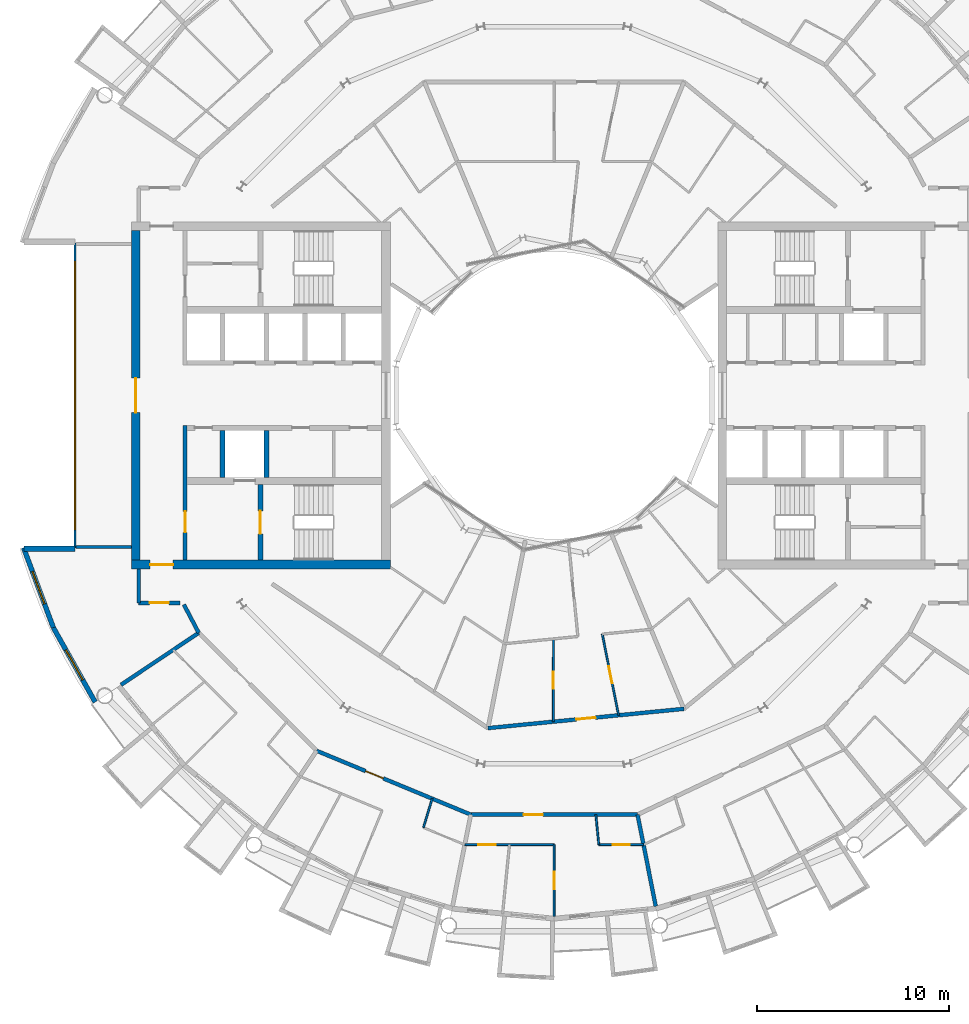
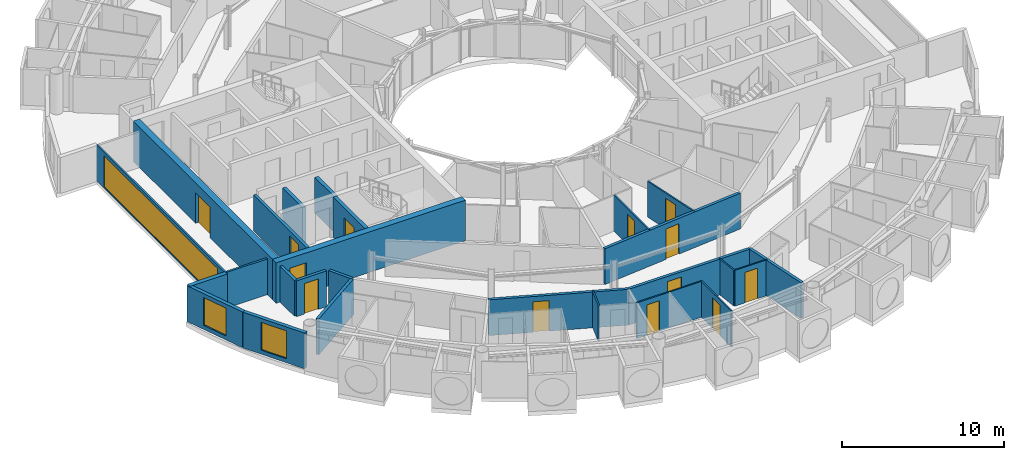
# One storey, part 16 of 29: 26 walls, 13 doors, 3 windows, 16 openings.
"""IFC4 building model written with IfcOpenShell, lengths in metres."""

from ifc_helpers import new_model, si_unit, direction, frame, frame_2d, origin, place, context, subcontext, project, spatial, rectangle, extrude, material, layer, layer_set, type_object, element, fill, save


model = new_model("IFC4")

# Units and contexts
model_context = context("Model", 3, precision=1e-05, world=origin(), true_north=direction((0.0, 1.0)))
body_context = subcontext(model_context, "Body", "Model", "MODEL_VIEW")
ifc_project = project(units=[si_unit("LENGTHUNIT", "METRE"), si_unit("AREAUNIT", "SQUARE_METRE"), si_unit("VOLUMEUNIT", "CUBIC_METRE"), si_unit("PLANEANGLEUNIT", "RADIAN"), si_unit("MASSUNIT", "GRAM", prefix="KILO")], contexts=[model_context])

# Site, building, storey
site_placement = place(None, origin())
site = spatial("IfcSite", under=ifc_project, at=site_placement, CompositionType="ELEMENT")
building_placement = place(site_placement, origin())
building = spatial("IfcBuilding", under=site, at=building_placement, Name="Maasbend Ring Residences", CompositionType="ELEMENT")
storey_placement = place(building_placement, frame((0.0, 0.0, 212.699951171875)))
storey = spatial("IfcBuildingStorey", under=building, at=storey_placement, Name="L61", CompositionType="ELEMENT", Elevation=212.699951171875)

# Wall, opening, door
ifc_material_1 = material(Name="Concrete C50/60", Category="concrete")
ifc_layer_1 = layer(ifc_material_1, 0.25)
ifc_layer_set_1 = layer_set([ifc_layer_1], Name="Concrete C50/60")
wall_type_1 = type_object("IfcWallType", Name="CORE WALL 250 C50/60", PredefinedType="SHEAR", material=ifc_layer_set_1)
wall_1_placement = place(storey_placement, frame((-15.324951171875, -4.64990234375, 0.0), z_axis=(0.0, 0.0, 1.0), x_axis=(0.0, -1.0, 0.0)))
wall_1 = element("IfcWall", 1, at=wall_1_placement, inside=storey, type_object=wall_type_1, Name="L61 core W wall STEN", PredefinedType="SHEAR", context=body_context, shape_type="SweptSolid", body=[
    extrude(rectangle(XDim=3.9501953125, YDim=0.25, at=frame_2d((1.97509765625, 0.0))), origin(), (0.0, 0.0, 1.0), 3.050048828125),
])
opening_1_placement = place(wall_1_placement, frame((1.375, 0.0, 0.0)))
opening_1 = element("IfcOpeningElement", 2, at=opening_1_placement, cuts=wall_1, Name="Opening D-W6110", PredefinedType="OPENING", context=body_context, shape_type="SweptSolid", body=[
    extrude(rectangle(XDim=1.199951171875, YDim=2.300048828125, at=frame_2d((0.60009765625, 1.14990234375))), frame((0.0, 0.135009765625, 0.0), z_axis=(0.0, -1.0, 0.0), x_axis=(1.0, 0.0, 0.0)), (0.0, 0.0, 1.0), 0.27001953125),
])
ifc_material_2 = material(Name="Steel, powder coated", Category="steel")
door_type_1 = type_object("IfcDoorType", Name="STAIR DOOR 1200 X 2300 FD60", OperationType="NOTDEFINED", PredefinedType="DOOR", material=ifc_material_2)
door_1_placement = place(opening_1_placement, origin())
door_1 = element("IfcDoor", 3, at=door_1_placement, inside=storey, type_object=door_type_1, Name="Stair door ST-W L61", OperationType="SINGLE_SWING_LEFT", OverallHeight=2.300048828125, OverallWidth=1.199951171875, PredefinedType="DOOR", context=body_context, shape_type="SweptSolid", body=[
    extrude(rectangle(XDim=1.199951171875, YDim=2.300048828125, at=frame_2d((0.60009765625, 1.14990234375))), frame((0.0, 0.02490234375, 0.0), z_axis=(0.0, -1.0, 0.0), x_axis=(1.0, 0.0, 0.0)), (0.0, 0.0, 1.0), 0.050048828125),
])
fill(opening_1, door_1)

ifc_material_3 = material(Name="Concrete C50/60", Category="concrete")
ifc_layer_2 = layer(ifc_material_3, 0.449951171875)
ifc_layer_set_2 = layer_set([ifc_layer_2], Name="Concrete C50/60")
wall_type_2 = type_object("IfcWallType", Name="CORE WALL 450 C50/60", PredefinedType="SHEAR", material=ifc_layer_set_2)
wall_2_placement = place(storey_placement, frame((-22.050048828125, -8.824951171875, 0.0), z_axis=(0.0, 0.0, 1.0), x_axis=(1.0, 0.0, 0.0)))
wall_2 = element("IfcWall", 4, at=wall_2_placement, inside=storey, type_object=wall_type_2, Name="L61 core W wall PN", PredefinedType="SHEAR", context=body_context, shape_type="SweptSolid", body=[
    extrude(rectangle(XDim=13.5, YDim=0.449951171875, at=frame_2d((6.75, 0.0))), origin(), (0.0, 0.0, 1.0), 3.050048828125),
])
opening_2_placement = place(wall_2_placement, frame((0.97509765625, 0.0, 0.0)))
opening_2 = element("IfcOpeningElement", 5, at=opening_2_placement, cuts=wall_2, Name="Opening D-W6114", PredefinedType="OPENING", context=body_context, shape_type="SweptSolid", body=[
    extrude(rectangle(XDim=1.199951171875, YDim=2.300048828125, at=frame_2d((0.60009765625, 1.14990234375))), frame((0.0, 0.23486328125, 0.0), z_axis=(0.0, -1.0, 0.0), x_axis=(1.0, 0.0, 0.0)), (0.0, 0.0, 1.0), 0.469970703125),
])
ifc_material_4 = material(Name="Steel, powder coated", Category="steel")
door_type_2 = type_object("IfcDoorType", Name="CORRIDOR DOOR 1200 X 2300 FD30S", OperationType="NOTDEFINED", PredefinedType="DOOR", material=ifc_material_4)
door_2_placement = place(opening_2_placement, origin())
door_2 = element("IfcDoor", 6, at=door_2_placement, inside=storey, type_object=door_type_2, Name="Corridor door L61", OperationType="SINGLE_SWING_RIGHT", OverallHeight=2.300048828125, OverallWidth=1.199951171875, PredefinedType="DOOR", context=body_context, shape_type="SweptSolid", body=[
    extrude(rectangle(XDim=1.199951171875, YDim=2.300048828125, at=frame_2d((0.60009765625, 1.14990234375))), frame((0.0, 0.02490234375, 0.0), z_axis=(0.0, -1.0, 0.0), x_axis=(1.0, 0.0, 0.0)), (0.0, 0.0, 1.0), 0.050048828125),
])
fill(opening_2, door_2)

wall_3_placement = place(storey_placement, frame((-21.824951171875, -8.60009765625, 0.0), z_axis=(0.0, 0.0, 1.0), x_axis=(0.0, 1.0, 0.0)))
wall_3 = element("IfcWall", 7, at=wall_3_placement, inside=storey, type_object=wall_type_2, Name="L61 core W wall POUT", PredefinedType="SHEAR", context=body_context, shape_type="SweptSolid", body=[
    extrude(rectangle(XDim=17.2001953125, YDim=0.449951171875, at=frame_2d((8.60009765625, 0.0))), origin(), (0.0, 0.0, 1.0), 3.050048828125),
])
opening_3_placement = place(wall_3_placement, frame((7.699951171875, 0.0, 0.0)))
opening_3 = element("IfcOpeningElement", 8, at=opening_3_placement, cuts=wall_3, Name="Opening D-W6116", PredefinedType="OPENING", context=body_context, shape_type="SweptSolid", body=[
    extrude(rectangle(XDim=1.800048828125, YDim=2.300048828125, at=frame_2d((0.89990234375, 1.14990234375))), frame((0.0, 0.23486328125, 0.0), z_axis=(0.0, -1.0, 0.0), x_axis=(1.0, 0.0, 0.0)), (0.0, 0.0, 1.0), 0.469970703125),
])
ifc_material_5 = material(Name="Aluminium frame, clear glass", Category="aluminium")
door_type_3 = type_object("IfcDoorType", Name="ENTRANCE DOOR 1800 X 2300 FD60", OperationType="NOTDEFINED", PredefinedType="DOOR", material=ifc_material_5)
door_3_placement = place(opening_3_placement, origin())
door_3 = element("IfcDoor", 9, at=door_3_placement, inside=storey, type_object=door_type_3, Name="Lobby glazed door L61", OperationType="SINGLE_SWING_LEFT", OverallHeight=2.300048828125, OverallWidth=1.800048828125, PredefinedType="DOOR", context=body_context, shape_type="SweptSolid", body=[
    extrude(rectangle(XDim=1.800048828125, YDim=2.300048828125, at=frame_2d((0.89990234375, 1.14990234375))), frame((0.0, 0.02490234375, 0.0), z_axis=(0.0, -1.0, 0.0), x_axis=(1.0, 0.0, 0.0)), (0.0, 0.0, 1.0), 0.050048828125),
])
fill(opening_3, door_3)

# Wall
ifc_material_6 = material(Name="Concrete C30/37", Category="concrete")
ifc_layer_3 = layer(ifc_material_6, 0.199951171875)
ifc_layer_set_3 = layer_set([ifc_layer_3], Name="Concrete C30/37")
wall_type_3 = type_object("IfcWallType", Name="CORRIDOR WALL 200 CONCRETE", PredefinedType="PARTITIONING", material=ifc_layer_set_3)
wall_4_placement = place(storey_placement, frame((-19.31689453125, -10.9150390625, 0.0), z_axis=(0.0, 0.0, 1.0), x_axis=(0.465359652486, -0.885121683068, 0.0)))
element("IfcWall", 10, at=wall_4_placement, inside=storey, type_object=wall_type_3, Name="U-L61-w011", PredefinedType="PARTITIONING", context=body_context, shape_type="SweptSolid", body=[
    extrude(rectangle(XDim=1.665283203125, YDim=0.199951171875, at=frame_2d((0.83251953125, 0.0))), origin(), (0.0, 0.0, 1.0), 2.699951171875),
])

# Wall, opening, door
wall_5_placement = place(storey_placement, frame((-12.388916015625, -18.5419921875, 0.0), z_axis=(0.0, 0.0, 1.0), x_axis=(0.923867858178, -0.382711615483, 0.0)))
wall_5 = element("IfcWall", 11, at=wall_5_placement, inside=storey, type_object=wall_type_3, Name="U-L61-w015", PredefinedType="PARTITIONING", context=body_context, shape_type="SweptSolid", body=[
    extrude(rectangle(XDim=8.708984375, YDim=0.199951171875, at=frame_2d((4.3544921875, 0.0))), origin(), (0.0, 0.0, 1.0), 2.699951171875),
])
opening_4_placement = place(wall_5_placement, frame((2.762939453125, 0.0, 0.0)))
opening_4 = element("IfcOpeningElement", 12, at=opening_4_placement, cuts=wall_5, Name="Opening D-6139", PredefinedType="OPENING", context=body_context, shape_type="SweptSolid", body=[
    extrude(rectangle(XDim=1.0, YDim=2.300048828125, at=frame_2d((0.5, 1.14990234375))), frame((0.0, 0.10986328125, 0.0), z_axis=(0.0, -1.0, 0.0), x_axis=(1.0, 0.0, 0.0)), (0.0, 0.0, 1.0), 0.219970703125),
])
ifc_material_7 = material(Name="Timber, fire-rated, painted", Category="wood")
door_type_4 = type_object("IfcDoorType", Name="FLAT ENTRANCE DOOR 1000 X 2300 FIRE-RATED", OperationType="NOTDEFINED", PredefinedType="DOOR", material=ifc_material_7)
door_4_placement = place(opening_4_placement, origin())
door_4 = element("IfcDoor", 13, at=door_4_placement, inside=storey, type_object=door_type_4, Name="D-6139", OperationType="SINGLE_SWING_LEFT", OverallHeight=2.300048828125, OverallWidth=1.0, PredefinedType="DOOR", context=body_context, shape_type="SweptSolid", body=[
    extrude(rectangle(XDim=1.0, YDim=2.300048828125, at=frame_2d((0.5, 1.14990234375))), frame((0.0, 0.02490234375, 0.0), z_axis=(0.0, -1.0, 0.0), x_axis=(1.0, 0.0, 0.0)), (0.0, 0.0, 1.0), 0.050048828125),
])
fill(opening_4, door_4)

wall_6_placement = place(storey_placement, frame((-4.35107421875, -21.8720703125, 0.0), z_axis=(0.0, 0.0, 1.0), x_axis=(1.0, 0.0, 0.0)))
wall_6 = element("IfcWall", 14, at=wall_6_placement, inside=storey, type_object=wall_type_3, Name="U-L61-w016", PredefinedType="PARTITIONING", context=body_context, shape_type="SweptSolid", body=[
    extrude(rectangle(XDim=8.7021484375, YDim=0.199951171875, at=frame_2d((4.35107421875, 0.0))), origin(), (0.0, 0.0, 1.0), 2.699951171875),
])
opening_5_placement = place(wall_6_placement, frame((2.762939453125, 0.0, 0.0)))
opening_5 = element("IfcOpeningElement", 15, at=opening_5_placement, cuts=wall_6, Name="Opening D-6143", PredefinedType="OPENING", context=body_context, shape_type="SweptSolid", body=[
    extrude(rectangle(XDim=1.0, YDim=2.300048828125, at=frame_2d((0.5, 1.14990234375))), frame((0.0, 0.10986328125, 0.0), z_axis=(0.0, -1.0, 0.0), x_axis=(1.0, 0.0, 0.0)), (0.0, 0.0, 1.0), 0.219970703125),
])
door_5_placement = place(opening_5_placement, origin())
door_5 = element("IfcDoor", 16, at=door_5_placement, inside=storey, type_object=door_type_4, Name="D-6143", OperationType="SINGLE_SWING_LEFT", OverallHeight=2.300048828125, OverallWidth=1.0, PredefinedType="DOOR", context=body_context, shape_type="SweptSolid", body=[
    extrude(rectangle(XDim=1.0, YDim=2.300048828125, at=frame_2d((0.5, 1.14990234375))), frame((0.0, 0.02490234375, 0.0), z_axis=(0.0, -1.0, 0.0), x_axis=(1.0, 0.0, 0.0)), (0.0, 0.0, 1.0), 0.050048828125),
])
fill(opening_5, door_5)

wall_7_placement = place(storey_placement, frame((-3.4541015625, -17.360107421875, 0.0), z_axis=(0.0, 0.0, 1.0), x_axis=(0.995189328429, 0.097970406658, 0.0)))
wall_7 = element("IfcWall", 17, at=wall_7_placement, inside=storey, type_object=wall_type_3, Name="U-L61-w020", PredefinedType="PARTITIONING", context=body_context, shape_type="SweptSolid", body=[
    extrude(rectangle(XDim=10.279541015625, YDim=0.199951171875, at=frame_2d((5.1396484375, 0.0))), origin(), (0.0, 0.0, 1.0), 2.699951171875),
])
opening_6_placement = place(wall_7_placement, frame((4.638916015625, 0.0, 0.0)))
opening_6 = element("IfcOpeningElement", 18, at=opening_6_placement, cuts=wall_7, Name="Opening D-6160", PredefinedType="OPENING", context=body_context, shape_type="SweptSolid", body=[
    extrude(rectangle(XDim=1.0, YDim=2.300048828125, at=frame_2d((0.5, 1.14990234375))), frame((0.0, 0.10986328125, 0.0), z_axis=(0.0, -1.0, 0.0), x_axis=(1.0, 0.0, 0.0)), (0.0, 0.0, 1.0), 0.219970703125),
])
door_6_placement = place(opening_6_placement, origin())
door_6 = element("IfcDoor", 19, at=door_6_placement, inside=storey, type_object=door_type_4, Name="D-6160", OperationType="SINGLE_SWING_LEFT", OverallHeight=2.300048828125, OverallWidth=1.0, PredefinedType="DOOR", context=body_context, shape_type="SweptSolid", body=[
    extrude(rectangle(XDim=1.0, YDim=2.300048828125, at=frame_2d((0.5, 1.14990234375))), frame((0.0, 0.02490234375, 0.0), z_axis=(0.0, -1.0, 0.0), x_axis=(1.0, 0.0, 0.0)), (0.0, 0.0, 1.0), 0.050048828125),
])
fill(opening_6, door_6)

wall_8_placement = place(storey_placement, frame((-21.675048828125, -10.824951171875, 0.0), z_axis=(0.0, 0.0, 1.0), x_axis=(1.0, 0.0, 0.0)))
wall_8 = element("IfcWall", 20, at=wall_8_placement, inside=storey, type_object=wall_type_3, Name="U-L61-w029", PredefinedType="PARTITIONING", context=body_context, shape_type="SweptSolid", body=[
    extrude(rectangle(XDim=2.152099609375, YDim=0.199951171875, at=frame_2d((1.076171875, 0.0))), origin(), (0.0, 0.0, 1.0), 2.699951171875),
])
opening_7_placement = place(wall_8_placement, frame((0.575927734375, 0.0, 0.0)))
opening_7 = element("IfcOpeningElement", 21, at=opening_7_placement, cuts=wall_8, Name="Opening D-6168", PredefinedType="OPENING", context=body_context, shape_type="SweptSolid", body=[
    extrude(rectangle(XDim=1.0, YDim=2.300048828125, at=frame_2d((0.5, 1.14990234375))), frame((0.0, 0.10986328125, 0.0), z_axis=(0.0, -1.0, 0.0), x_axis=(1.0, 0.0, 0.0)), (0.0, 0.0, 1.0), 0.219970703125),
])
ifc_material_8 = material(Name="Timber, painted", Category="wood")
door_type_5 = type_object("IfcDoorType", Name="ROOM DOOR 1000 X 2300", OperationType="NOTDEFINED", PredefinedType="DOOR", material=ifc_material_8)
door_7_placement = place(opening_7_placement, origin())
door_7 = element("IfcDoor", 22, at=door_7_placement, inside=storey, type_object=door_type_5, Name="D-6168", OperationType="SINGLE_SWING_LEFT", OverallHeight=2.300048828125, OverallWidth=1.0, PredefinedType="DOOR", context=body_context, shape_type="SweptSolid", body=[
    extrude(rectangle(XDim=1.0, YDim=2.300048828125, at=frame_2d((0.5, 1.14990234375))), frame((0.0, 0.02490234375, 0.0), z_axis=(0.0, -1.0, 0.0), x_axis=(1.0, 0.0, 0.0)), (0.0, 0.0, 1.0), 0.050048828125),
])
fill(opening_7, door_7)

# Wall
wall_9_placement = place(storey_placement, frame((-21.675048828125, -10.824951171875, 0.0), z_axis=(0.0, 0.0, 1.0), x_axis=(0.0, 1.0, 0.0)))
element("IfcWall", 23, at=wall_9_placement, inside=storey, type_object=wall_type_3, Name="U-L61-w112", PredefinedType="PARTITIONING", context=body_context, shape_type="SweptSolid", body=[
    extrude(rectangle(XDim=1.77490234375, YDim=0.199951171875, at=frame_2d((0.887451171875, 0.0))), origin(), (0.0, 0.0, 1.0), 2.699951171875),
])

# Wall, opening, window
ifc_material_9 = material(Name="Aluminium clad insulated panel", Category="aluminium")
ifc_layer_4 = layer(ifc_material_9, 0.25)
ifc_layer_set_4 = layer_set([ifc_layer_4], Name="EW-HORN")
wall_type_4 = type_object("IfcWallType", Name="EW-HORN", PredefinedType="SOLIDWALL", material=ifc_layer_set_4)
wall_10_placement = place(storey_placement, frame((-27.681884765625, -7.945068359375, 0.0), z_axis=(0.0, 0.0, 1.0), x_axis=(0.349247811493, -0.937030397675, 0.0)))
wall_10 = element("IfcWall", 24, at=wall_10_placement, inside=storey, type_object=wall_type_4, Name="Horn wall 3.1", PredefinedType="SOLIDWALL", context=body_context, shape_type="SweptSolid", body=[
    extrude(rectangle(XDim=4.4521484375, YDim=0.25, at=frame_2d((2.22607421875, 0.0))), origin(), (0.0, 0.0, 1.0), 2.699951171875),
])
opening_8_placement = place(wall_10_placement, frame((1.32666015625, 0.0, 0.300048828125)))
opening_8 = element("IfcOpeningElement", 25, at=opening_8_placement, cuts=wall_10, Name="Opening W-BX", PredefinedType="OPENING", context=body_context, shape_type="SweptSolid", body=[
    extrude(rectangle(XDim=1.800048828125, YDim=2.10009765625, at=frame_2d((0.89990234375, 1.050048828125))), frame((0.0, 0.135009765625, 0.0), z_axis=(0.0, -1.0, 0.0), x_axis=(1.0, 0.0, 0.0)), (0.0, 0.0, 1.0), 0.27001953125),
])
ifc_material_10 = material(Name="Aluminium and clear glass", Category="aluminium")
window_type_1 = type_object("IfcWindowType", Name="W-BX", PartitioningType="DOUBLE_PANEL_VERTICAL", PredefinedType="WINDOW", material=ifc_material_10)
window_1_placement = place(opening_8_placement, origin())
window_1 = element("IfcWindow", 26, at=window_1_placement, inside=storey, type_object=window_type_1, Name="Horn window 3.1", OverallHeight=2.10009765625, OverallWidth=1.800048828125, PartitioningType="SINGLE_PANEL", PredefinedType="WINDOW", context=body_context, shape_type="SweptSolid", body=[
    extrude(rectangle(XDim=1.800048828125, YDim=2.10009765625, at=frame_2d((0.89990234375, 1.050048828125))), frame((0.0, 0.030029296875, 0.0), z_axis=(0.0, -1.0, 0.0), x_axis=(1.0, 0.0, 0.0)), (0.0, 0.0, 1.0), 0.06005859375),
])
fill(opening_8, window_1)

wall_11_placement = place(storey_placement, frame((-26.126953125, -12.116943359375, 0.0), z_axis=(0.0, 0.0, 1.0), x_axis=(0.489696356642, -0.871893042919, 0.0)))
wall_11 = element("IfcWall", 27, at=wall_11_placement, inside=storey, type_object=wall_type_4, Name="Horn wall 3.2", PredefinedType="SOLIDWALL", context=body_context, shape_type="SweptSolid", body=[
    extrude(rectangle(XDim=4.45361328125, YDim=0.25, at=frame_2d((2.226806640625, 0.0))), origin(), (0.0, 0.0, 1.0), 2.699951171875),
])
opening_9_placement = place(wall_11_placement, frame((1.32666015625, 0.0, 0.300048828125)))
opening_9 = element("IfcOpeningElement", 28, at=opening_9_placement, cuts=wall_11, Name="Opening W-BX", PredefinedType="OPENING", context=body_context, shape_type="SweptSolid", body=[
    extrude(rectangle(XDim=1.800048828125, YDim=2.10009765625, at=frame_2d((0.89990234375, 1.050048828125))), frame((0.0, 0.135009765625, 0.0), z_axis=(0.0, -1.0, 0.0), x_axis=(1.0, 0.0, 0.0)), (0.0, 0.0, 1.0), 0.27001953125),
])
window_2_placement = place(opening_9_placement, origin())
window_2 = element("IfcWindow", 29, at=window_2_placement, inside=storey, type_object=window_type_1, Name="Horn window 3.2", OverallHeight=2.10009765625, OverallWidth=1.800048828125, PartitioningType="SINGLE_PANEL", PredefinedType="WINDOW", context=body_context, shape_type="SweptSolid", body=[
    extrude(rectangle(XDim=1.800048828125, YDim=2.10009765625, at=frame_2d((0.89990234375, 1.050048828125))), frame((0.0, 0.030029296875, 0.0), z_axis=(0.0, -1.0, 0.0), x_axis=(1.0, 0.0, 0.0)), (0.0, 0.0, 1.0), 0.06005859375),
])
fill(opening_9, window_2)

# Wall
ifc_material_11 = material(Name="Aluminium clad insulated panel", Category="aluminium")
ifc_layer_5 = layer(ifc_material_11, 0.300048828125)
ifc_layer_set_5 = layer_set([ifc_layer_5], Name="EW-RET")
wall_type_5 = type_object("IfcWallType", Name="EW-RET", PredefinedType="SOLIDWALL", material=ifc_layer_set_5)
wall_12_placement = place(storey_placement, frame((-25.0, -8.0, 0.0), z_axis=(0.0, 0.0, 1.0), x_axis=(-1.0, 0.0, 0.0)))
element("IfcWall", 30, at=wall_12_placement, inside=storey, type_object=wall_type_5, Name="Notch return wall west south", PredefinedType="SOLIDWALL", context=body_context, shape_type="SweptSolid", body=[
    extrude(rectangle(XDim=2.6669921875, YDim=0.300048828125, at=frame_2d((1.33349609375, 0.0))), origin(), (0.0, 0.0, 1.0), 2.699951171875),
])

# Wall, opening, window
ifc_material_12 = material(Name="Aluminium frame and clear glass", Category="aluminium")
ifc_layer_6 = layer(ifc_material_12, 0.1201171875)
ifc_layer_set_6 = layer_set([ifc_layer_6], Name="GLAZED SCREEN WALL 120 EI 60")
wall_type_6 = type_object("IfcWallType", Name="GLAZED SCREEN WALL 120 EI 60", PredefinedType="PARTITIONING", material=ifc_layer_set_6)
wall_13_placement = place(storey_placement, frame((-25.0, 7.949951171875, 0.0), z_axis=(0.0, 0.0, 1.0), x_axis=(0.0, -1.0, 0.0)))
wall_13 = element("IfcWall", 31, at=wall_13_placement, inside=storey, type_object=wall_type_6, Name="L61 core W wall FACE", PredefinedType="PARTITIONING", context=body_context, shape_type="SweptSolid", body=[
    extrude(rectangle(XDim=15.89990234375, YDim=0.1201171875, at=frame_2d((7.949951171875, 0.0))), origin(), (0.0, 0.0, 1.0), 2.699951171875),
])
opening_10_placement = place(wall_13_placement, frame((0.949951171875, 0.0, 0.10009765625)))
opening_10 = element("IfcOpeningElement", 32, at=opening_10_placement, cuts=wall_13, Name="Opening W-W6102", PredefinedType="OPENING", context=body_context, shape_type="SweptSolid", body=[
    extrude(rectangle(XDim=14.0, YDim=2.35009765625, at=frame_2d((7.0, 1.175048828125))), frame((0.0, 0.070068359375, 0.0), z_axis=(0.0, -1.0, 0.0), x_axis=(1.0, 0.0, 0.0)), (0.0, 0.0, 1.0), 0.14013671875),
])
ifc_material_13 = material(Name="Aluminium frame and clear glass", Category="aluminium")
window_type_2 = type_object("IfcWindowType", Name="FIXED WINDOW 14000 X 2350", PartitioningType="SINGLE_PANEL", PredefinedType="WINDOW", material=ifc_material_13)
window_3_placement = place(opening_10_placement, origin())
window_3 = element("IfcWindow", 33, at=window_3_placement, inside=storey, type_object=window_type_2, Name="Lobby window L61", OverallHeight=2.35009765625, OverallWidth=14.0, PartitioningType="SINGLE_PANEL", PredefinedType="WINDOW", context=body_context, shape_type="SweptSolid", body=[
    extrude(rectangle(XDim=14.0, YDim=2.35009765625, at=frame_2d((7.0, 1.175048828125))), frame((0.0, 0.030029296875, 0.0), z_axis=(0.0, -1.0, 0.0), x_axis=(1.0, 0.0, 0.0)), (0.0, 0.0, 1.0), 0.06005859375),
])
fill(opening_10, window_3)

# Wall, opening, door
ifc_material_14 = material(Name="Gypsum board on steel studs", Category="steel")
ifc_layer_7 = layer(ifc_material_14, 0.10009765625)
ifc_layer_set_7 = layer_set([ifc_layer_7], Name="PARTITION 100 GYPSUM")
wall_type_7 = type_object("IfcWallType", Name="PARTITION 100 GYPSUM", PredefinedType="PARTITIONING", material=ifc_layer_set_7)
wall_14_placement = place(storey_placement, frame((-4.6630859375, -23.44091796875, 0.0), z_axis=(0.0, 0.0, 1.0), x_axis=(1.0, 0.0, 0.0)))
wall_14 = element("IfcWall", 34, at=wall_14_placement, inside=storey, type_object=wall_type_7, Name="U-L61-w007", PredefinedType="PARTITIONING", context=body_context, shape_type="SweptSolid", body=[
    extrude(rectangle(XDim=4.6630859375, YDim=0.10009765625, at=frame_2d((2.33154296875, 0.0))), origin(), (0.0, 0.0, 1.0), 2.699951171875),
])
opening_11_placement = place(wall_14_placement, frame((0.716064453125, 0.0, 0.0)))
opening_11 = element("IfcOpeningElement", 35, at=opening_11_placement, cuts=wall_14, Name="Opening D-6146", PredefinedType="OPENING", context=body_context, shape_type="SweptSolid", body=[
    extrude(rectangle(XDim=0.89990234375, YDim=2.300048828125, at=frame_2d((0.449951171875, 1.14990234375))), frame((0.0, 0.06005859375, 0.0), z_axis=(0.0, -1.0, 0.0), x_axis=(1.0, 0.0, 0.0)), (0.0, 0.0, 1.0), 0.1201171875),
])
ifc_material_15 = material(Name="Timber, painted", Category="wood")
door_type_6 = type_object("IfcDoorType", Name="INTERNAL DOOR 900 X 2300", OperationType="NOTDEFINED", PredefinedType="DOOR", material=ifc_material_15)
door_8_placement = place(opening_11_placement, origin())
door_8 = element("IfcDoor", 36, at=door_8_placement, inside=storey, type_object=door_type_6, Name="D-6146", OperationType="SINGLE_SWING_LEFT", OverallHeight=2.300048828125, OverallWidth=0.89990234375, PredefinedType="DOOR", context=body_context, shape_type="SweptSolid", body=[
    extrude(rectangle(XDim=0.89990234375, YDim=2.300048828125, at=frame_2d((0.449951171875, 1.14990234375))), frame((0.0, 0.02490234375, 0.0), z_axis=(0.0, -1.0, 0.0), x_axis=(1.0, 0.0, 0.0)), (0.0, 0.0, 1.0), 0.050048828125),
])
fill(opening_11, door_8)

wall_15_placement = place(storey_placement, frame((2.3310546875, -23.44091796875, 0.0), z_axis=(0.0, 0.0, 1.0), x_axis=(1.0, 0.0, 0.0)))
wall_15 = element("IfcWall", 37, at=wall_15_placement, inside=storey, type_object=wall_type_7, Name="U-L61-w008", PredefinedType="PARTITIONING", context=body_context, shape_type="SweptSolid", body=[
    extrude(rectangle(XDim=2.33203125, YDim=0.10009765625, at=frame_2d((1.166015625, 0.0))), origin(), (0.0, 0.0, 1.0), 2.699951171875),
])
opening_12_placement = place(wall_15_placement, frame((0.716064453125, 0.0, 0.0)))
opening_12 = element("IfcOpeningElement", 38, at=opening_12_placement, cuts=wall_15, Name="Opening D-6144", PredefinedType="OPENING", context=body_context, shape_type="SweptSolid", body=[
    extrude(rectangle(XDim=0.89990234375, YDim=2.300048828125, at=frame_2d((0.449951171875, 1.14990234375))), frame((0.0, 0.06005859375, 0.0), z_axis=(0.0, -1.0, 0.0), x_axis=(1.0, 0.0, 0.0)), (0.0, 0.0, 1.0), 0.1201171875),
])
door_9_placement = place(opening_12_placement, origin())
door_9 = element("IfcDoor", 39, at=door_9_placement, inside=storey, type_object=door_type_6, Name="D-6144", OperationType="SINGLE_SWING_LEFT", OverallHeight=2.300048828125, OverallWidth=0.89990234375, PredefinedType="DOOR", context=body_context, shape_type="SweptSolid", body=[
    extrude(rectangle(XDim=0.89990234375, YDim=2.300048828125, at=frame_2d((0.449951171875, 1.14990234375))), frame((0.0, 0.02490234375, 0.0), z_axis=(0.0, -1.0, 0.0), x_axis=(1.0, 0.0, 0.0)), (0.0, 0.0, 1.0), 0.050048828125),
])
fill(opening_12, door_9)

# Wall
wall_16_placement = place(storey_placement, frame((-6.81689453125, -22.549072265625, 0.0), z_axis=(0.0, 0.0, 1.0), x_axis=(0.289547780579, 0.957163561134, 0.0)))
element("IfcWall", 40, at=wall_16_placement, inside=storey, type_object=wall_type_7, Name="U-L61-w035", PredefinedType="PARTITIONING", context=body_context, shape_type="SweptSolid", body=[
    extrude(rectangle(XDim=1.57763671875, YDim=0.10009765625, at=frame_2d((0.788818359375, 0.0))), origin(), (0.0, 0.0, 1.0), 2.699951171875),
])

# Wall, opening, door
wall_17_placement = place(storey_placement, frame((-0.0439453125, -17.02392578125, 0.0), z_axis=(0.0, 0.0, 1.0), x_axis=(0.002543801832, 0.999996764531, 0.0)))
wall_17 = element("IfcWall", 41, at=wall_17_placement, inside=storey, type_object=wall_type_7, Name="U-L61-w063", PredefinedType="PARTITIONING", context=body_context, shape_type="SweptSolid", body=[
    extrude(rectangle(XDim=4.31884765625, YDim=0.10009765625, at=frame_2d((2.159423828125, 0.0))), origin(), (0.0, 0.0, 1.0), 2.699951171875),
])
opening_13_placement = place(wall_17_placement, frame((1.7099609375, 0.0, 0.0)))
opening_13 = element("IfcOpeningElement", 42, at=opening_13_placement, cuts=wall_17, Name="Opening D-6162", PredefinedType="OPENING", context=body_context, shape_type="SweptSolid", body=[
    extrude(rectangle(XDim=0.89990234375, YDim=2.300048828125, at=frame_2d((0.449951171875, 1.14990234375))), frame((0.0, 0.06005859375, 0.0), z_axis=(0.0, -1.0, 0.0), x_axis=(1.0, 0.0, 0.0)), (0.0, 0.0, 1.0), 0.1201171875),
])
door_10_placement = place(opening_13_placement, origin())
door_10 = element("IfcDoor", 43, at=door_10_placement, inside=storey, type_object=door_type_6, Name="D-6162", OperationType="SINGLE_SWING_LEFT", OverallHeight=2.300048828125, OverallWidth=0.89990234375, PredefinedType="DOOR", context=body_context, shape_type="SweptSolid", body=[
    extrude(rectangle(XDim=0.89990234375, YDim=2.300048828125, at=frame_2d((0.449951171875, 1.14990234375))), frame((0.0, 0.02490234375, 0.0), z_axis=(0.0, -1.0, 0.0), x_axis=(1.0, 0.0, 0.0)), (0.0, 0.0, 1.0), 0.050048828125),
])
fill(opening_13, door_10)

wall_18_placement = place(storey_placement, frame((0.0, -27.175048828125, 0.0), z_axis=(0.0, 0.0, 1.0), x_axis=(0.0, 1.0, 0.0)))
wall_18 = element("IfcWall", 44, at=wall_18_placement, inside=storey, type_object=wall_type_7, Name="U-L61-w064", PredefinedType="PARTITIONING", context=body_context, shape_type="SweptSolid", body=[
    extrude(rectangle(XDim=3.734130859375, YDim=0.10009765625, at=frame_2d((1.8671875, 0.0))), origin(), (0.0, 0.0, 1.0), 2.699951171875),
])
opening_14_placement = place(wall_18_placement, frame((1.4169921875, 0.0, 0.0)))
opening_14 = element("IfcOpeningElement", 45, at=opening_14_placement, cuts=wall_18, Name="Opening D-6145", PredefinedType="OPENING", context=body_context, shape_type="SweptSolid", body=[
    extrude(rectangle(XDim=0.89990234375, YDim=2.300048828125, at=frame_2d((0.449951171875, 1.14990234375))), frame((0.0, 0.06005859375, 0.0), z_axis=(0.0, -1.0, 0.0), x_axis=(1.0, 0.0, 0.0)), (0.0, 0.0, 1.0), 0.1201171875),
])
door_11_placement = place(opening_14_placement, origin())
door_11 = element("IfcDoor", 46, at=door_11_placement, inside=storey, type_object=door_type_6, Name="D-6145", OperationType="SINGLE_SWING_RIGHT", OverallHeight=2.300048828125, OverallWidth=0.89990234375, PredefinedType="DOOR", context=body_context, shape_type="SweptSolid", body=[
    extrude(rectangle(XDim=0.89990234375, YDim=2.300048828125, at=frame_2d((0.449951171875, 1.14990234375))), frame((0.0, 0.02490234375, 0.0), z_axis=(0.0, -1.0, 0.0), x_axis=(1.0, 0.0, 0.0)), (0.0, 0.0, 1.0), 0.050048828125),
])
fill(opening_14, door_11)

# Wall
wall_19_placement = place(storey_placement, frame((2.175048828125, -21.8720703125, 0.0), z_axis=(0.0, 0.0, 1.0), x_axis=(0.098951748623, -0.995092232632, 0.0)))
element("IfcWall", 47, at=wall_19_placement, inside=storey, type_object=wall_type_7, Name="U-L61-w070", PredefinedType="PARTITIONING", context=body_context, shape_type="SweptSolid", body=[
    extrude(rectangle(XDim=1.57666015625, YDim=0.10009765625, at=frame_2d((0.788330078125, 0.0))), origin(), (0.0, 0.0, 1.0), 2.699951171875),
])

# Wall, opening, door
wall_20_placement = place(storey_placement, frame((2.510986328125, -12.4541015625, 0.0), z_axis=(0.0, 0.0, 1.0), x_axis=(0.197724661373, -0.980257597923, 0.0)))
wall_20 = element("IfcWall", 48, at=wall_20_placement, inside=storey, type_object=wall_type_7, Name="U-L61-w071", PredefinedType="PARTITIONING", context=body_context, shape_type="SweptSolid", body=[
    extrude(rectangle(XDim=4.319091796875, YDim=0.10009765625, at=frame_2d((2.15966796875, 0.0))), origin(), (0.0, 0.0, 1.0), 2.699951171875),
])
opening_15_placement = place(wall_20_placement, frame((1.7099609375, 0.0, 0.0)))
opening_15 = element("IfcOpeningElement", 49, at=opening_15_placement, cuts=wall_20, Name="Opening D-6161", PredefinedType="OPENING", context=body_context, shape_type="SweptSolid", body=[
    extrude(rectangle(XDim=0.89990234375, YDim=2.300048828125, at=frame_2d((0.449951171875, 1.14990234375))), frame((0.0, 0.06005859375, 0.0), z_axis=(0.0, -1.0, 0.0), x_axis=(1.0, 0.0, 0.0)), (0.0, 0.0, 1.0), 0.1201171875),
])
door_12_placement = place(opening_15_placement, origin())
door_12 = element("IfcDoor", 50, at=door_12_placement, inside=storey, type_object=door_type_6, Name="D-6161", OperationType="SINGLE_SWING_LEFT", OverallHeight=2.300048828125, OverallWidth=0.89990234375, PredefinedType="DOOR", context=body_context, shape_type="SweptSolid", body=[
    extrude(rectangle(XDim=0.89990234375, YDim=2.300048828125, at=frame_2d((0.449951171875, 1.14990234375))), frame((0.0, 0.02490234375, 0.0), z_axis=(0.0, -1.0, 0.0), x_axis=(1.0, 0.0, 0.0)), (0.0, 0.0, 1.0), 0.050048828125),
])
fill(opening_15, door_12)

# Walls
ifc_material_16 = material(Name="Gypsum board on steel studs", Category="steel")
ifc_layer_8 = layer(ifc_material_16, 0.14990234375)
ifc_layer_set_8 = layer_set([ifc_layer_8], Name="PARTITION 150 EI 60")
wall_type_8 = type_object("IfcWallType", Name="PARTITION 150 EI 60", PredefinedType="PARTITIONING", material=ifc_layer_set_8)
wall_21_placement = place(storey_placement, frame((-22.050048828125, -7.89990234375, 0.0), z_axis=(0.0, 0.0, 1.0), x_axis=(-1.0, 0.0, 0.0)))
element("IfcWall", 51, at=wall_21_placement, inside=storey, type_object=wall_type_8, Name="L61 core W wall CITN", PredefinedType="PARTITIONING", context=body_context, shape_type="SweptSolid", body=[
    extrude(rectangle(XDim=2.889892578125, YDim=0.14990234375, at=frame_2d((1.44482421875, 0.0))), origin(), (0.0, 0.0, 1.0), 2.699951171875),
])
ifc_material_17 = material(Name="Concrete C30/37", Category="concrete")
ifc_layer_9 = layer(ifc_material_17, 0.199951171875)
ifc_layer_set_9 = layer_set([ifc_layer_9], Name="Concrete C30/37")
wall_type_9 = type_object("IfcWallType", Name="PARTY WALL 200 CONCRETE", PredefinedType="PARTITIONING", material=ifc_layer_set_9)
wall_22_placement = place(storey_placement, frame((-22.594970703125, -15.097900390625, 0.0), z_axis=(0.0, 0.0, 1.0), x_axis=(0.831387096605, 0.55569370664, 0.0)))
element("IfcWall", 52, at=wall_22_placement, inside=storey, type_object=wall_type_9, Name="U-L61-w038", PredefinedType="PARTITIONING", context=body_context, shape_type="SweptSolid", body=[
    extrude(rectangle(XDim=4.875, YDim=0.199951171875, at=frame_2d((2.4375, 0.0))), origin(), (0.0, 0.0, 1.0), 2.699951171875),
])
wall_23_placement = place(storey_placement, frame((4.35107421875, -21.8720703125, 0.0), z_axis=(0.0, 0.0, 1.0), x_axis=(0.195075825861, -0.980788163756, 0.0)))
element("IfcWall", 53, at=wall_23_placement, inside=storey, type_object=wall_type_9, Name="U-L61-w075", PredefinedType="PARTITIONING", context=body_context, shape_type="SweptSolid", body=[
    extrude(rectangle(XDim=4.874755859375, YDim=0.199951171875, at=frame_2d((2.4375, 0.0))), origin(), (0.0, 0.0, 1.0), 2.699951171875),
])

# Wall, opening, door
ifc_material_18 = material(Name="Concrete C30/37", Category="concrete")
ifc_layer_10 = layer(ifc_material_18, 0.199951171875)
ifc_layer_set_10 = layer_set([ifc_layer_10], Name="Concrete C30/37")
wall_type_10 = type_object("IfcWallType", Name="SHAFT WALL 200 EI 120", PredefinedType="SOLIDWALL", material=ifc_layer_set_10)
wall_24_placement = place(storey_placement, frame((-19.25, -1.574951171875, 0.0), z_axis=(0.0, 0.0, 1.0), x_axis=(0.0, -1.0, 0.0)))
wall_24 = element("IfcWall", 54, at=wall_24_placement, inside=storey, type_object=wall_type_10, Name="L61 core W wall ENDN", PredefinedType="SOLIDWALL", context=body_context, shape_type="SweptSolid", body=[
    extrude(rectangle(XDim=7.025146484375, YDim=0.199951171875, at=frame_2d((3.5126953125, 0.0))), origin(), (0.0, 0.0, 1.0), 2.699951171875),
])
opening_16_placement = place(wall_24_placement, frame((4.47509765625, 0.0, 0.0)))
opening_16 = element("IfcOpeningElement", 55, at=opening_16_placement, cuts=wall_24, Name="Opening D-W6112", PredefinedType="OPENING", context=body_context, shape_type="SweptSolid", body=[
    extrude(rectangle(XDim=1.10009765625, YDim=2.300048828125, at=frame_2d((0.550048828125, 1.14990234375))), frame((0.0, 0.10986328125, 0.0), z_axis=(0.0, -1.0, 0.0), x_axis=(1.0, 0.0, 0.0)), (0.0, 0.0, 1.0), 0.219970703125),
])
ifc_material_19 = material(Name="Steel, powder coated", Category="steel")
door_type_7 = type_object("IfcDoorType", Name="LOBBY DOOR 1100 X 2300 FD60", OperationType="NOTDEFINED", PredefinedType="DOOR", material=ifc_material_19)
door_13_placement = place(opening_16_placement, origin())
door_13 = element("IfcDoor", 56, at=door_13_placement, inside=storey, type_object=door_type_7, Name="Lobby door L61", OperationType="SINGLE_SWING_LEFT", OverallHeight=2.300048828125, OverallWidth=1.10009765625, PredefinedType="DOOR", context=body_context, shape_type="SweptSolid", body=[
    extrude(rectangle(XDim=1.10009765625, YDim=2.300048828125, at=frame_2d((0.550048828125, 1.14990234375))), frame((0.0, 0.02490234375, 0.0), z_axis=(0.0, -1.0, 0.0), x_axis=(1.0, 0.0, 0.0)), (0.0, 0.0, 1.0), 0.050048828125),
])
fill(opening_16, door_13)

# Walls
ifc_material_20 = material(Name="Concrete C30/37", Category="concrete")
ifc_layer_11 = layer(ifc_material_20, 0.25)
ifc_layer_set_11 = layer_set([ifc_layer_11], Name="Concrete C30/37")
wall_type_11 = type_object("IfcWallType", Name="SHAFT WALL 250 EI 120", PredefinedType="SOLIDWALL", material=ifc_layer_set_11)
for number, where, z_axis, x_axis, name in (
    (57, (-15.0, -1.824951171875, 0.0), (0.0, 0.0, 1.0), (0.0, -1.0, 0.0), "L61 core W wall D150N"),
    (58, (-17.300048828125, -1.824951171875, 0.0), (0.0, 0.0, 1.0), (0.0, -1.0, 0.0), "L61 core W wall D173N"),
):
    element("IfcWall", number, at=place(storey_placement, frame(where, z_axis=z_axis, x_axis=x_axis)), inside=storey, type_object=wall_type_11, Name=name, PredefinedType="SOLIDWALL", context=body_context, shape_type="SweptSolid", body=[
        extrude(rectangle(XDim=2.449951171875, YDim=0.25, at=frame_2d((1.22509765625, 0.0))), origin(), (0.0, 0.0, 1.0), 2.699951171875),
    ])

save(model, "model.ifc")
